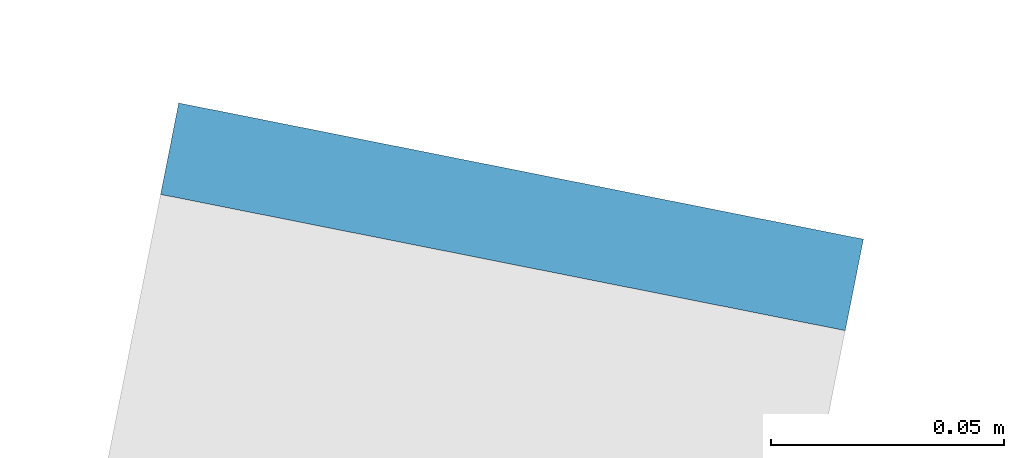
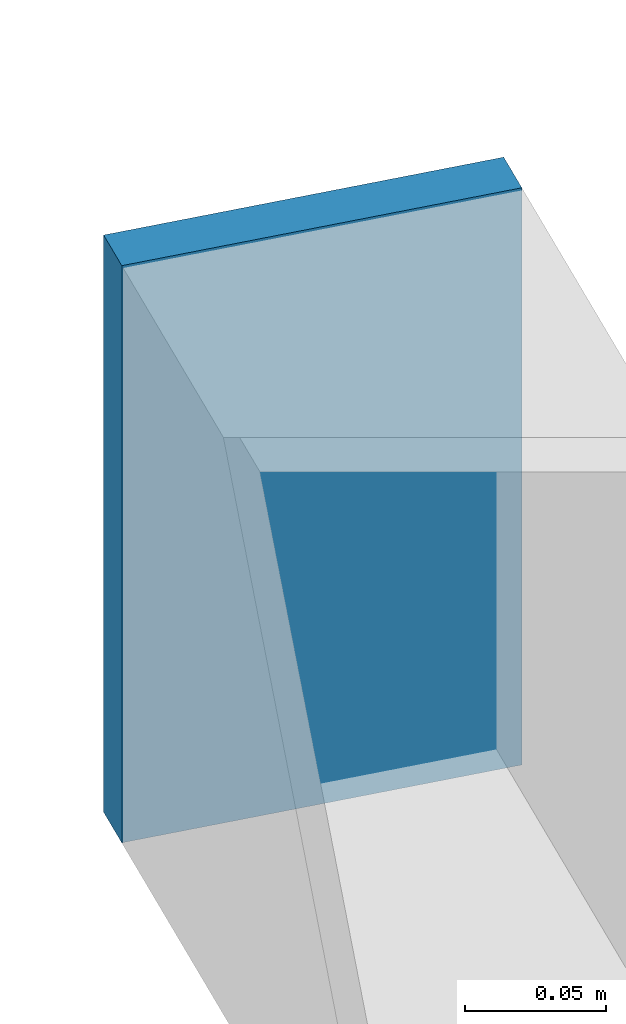
# One storey, part 24 of 30: 1 discrete accessory.
"""IFC4 building model written with IfcOpenShell, lengths in metres."""

from ifc_helpers import new_model, si_unit, direction, frame, origin, origin_2d, place, context, subcontext, project, spatial, rectangle, extrude, material, layer, layer_set, type_object, element, save


model = new_model("IFC4")

# Units and contexts
model_context = context("Model", 3, precision=1e-05, world=origin(), true_north=direction((0.0, 1.0)))
body_context = subcontext(model_context, "Body", "Model", "MODEL_VIEW")
ifc_project = project(units=[si_unit("LENGTHUNIT", "METRE"), si_unit("AREAUNIT", "SQUARE_METRE"), si_unit("VOLUMEUNIT", "CUBIC_METRE"), si_unit("PLANEANGLEUNIT", "RADIAN"), si_unit("MASSUNIT", "GRAM", prefix="KILO")], contexts=[model_context])

# Site, building, storey
site_placement = place(None, origin())
site = spatial("IfcSite", under=ifc_project, at=site_placement, CompositionType="ELEMENT")
building_placement = place(site_placement, origin())
building = spatial("IfcBuilding", under=site, at=building_placement, Name="Siwar Civic Tower", CompositionType="ELEMENT")
storey_placement = place(building_placement, frame((0.0, 0.0, 62.699951171875)))
storey = spatial("IfcBuildingStorey", under=building, at=storey_placement, Name="L13", CompositionType="ELEMENT", Elevation=62.699951171875)

# Discrete accessory
ifc_material = material(Name="Steel S355", Category="steel")
ifc_layer = layer(ifc_material, 0.02001953125)
ifc_layer_set = layer_set([ifc_layer], Name="Steel S355")
discrete_accessory_type = type_object("IfcDiscreteAccessoryType", Name="STR-END-CAP", PredefinedType="USERDEFINED", material=ifc_layer_set)
discrete_accessory_placement = place(storey_placement, frame((22.642578125, 33.3447265625, -0.39990234375), z_axis=(0.0, 0.0, 1.0), x_axis=(0.195090322119, 0.980785280383, 0.0)))
element("IfcDiscreteAccessory", 1, at=discrete_accessory_placement, inside=storey, type_object=discrete_accessory_type, Name="End cap plate Balcony cantilever beam NE 3", ObjectType="END CAP PLATE", PredefinedType="USERDEFINED", context=body_context, shape_type="SweptSolid", body=[
    extrude(rectangle(XDim=0.02001953125, YDim=0.14990234375, at=origin_2d()), origin(), (0.0, 0.0, 1.0), 0.25),
])

save(model, "model.ifc")
